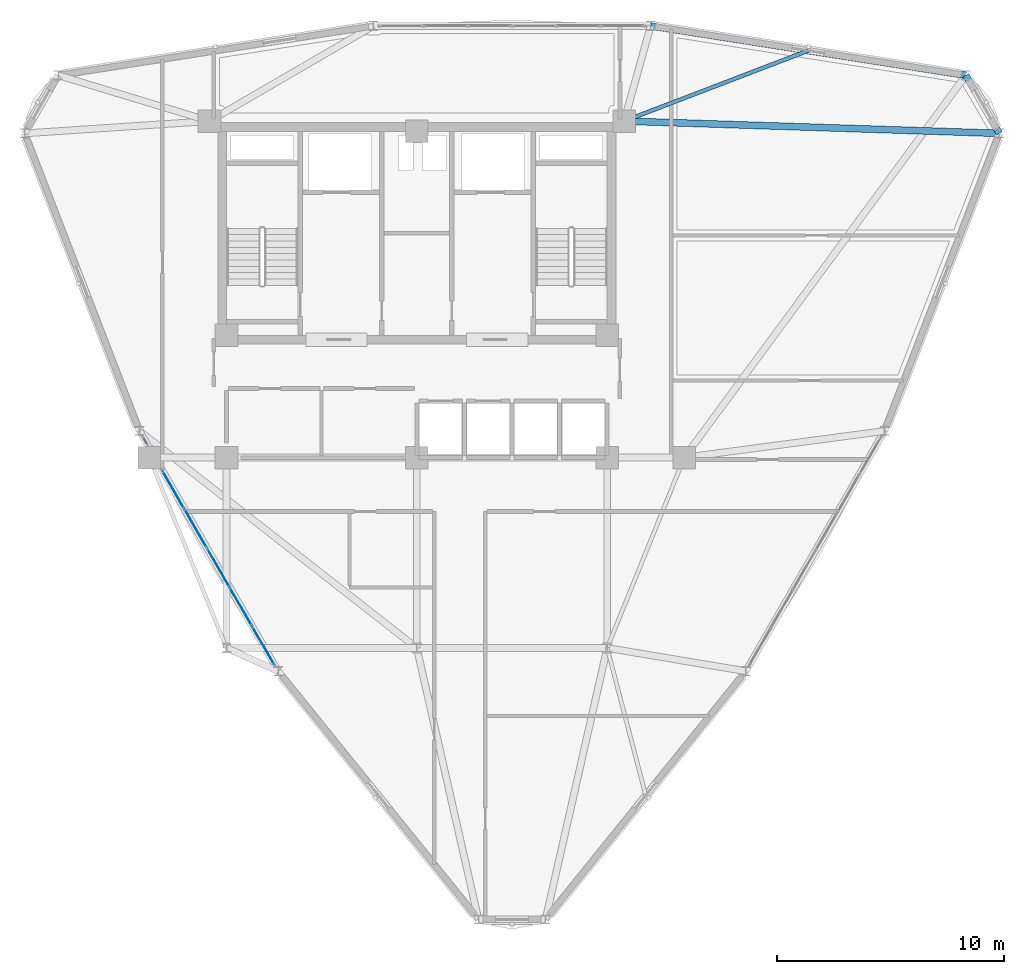
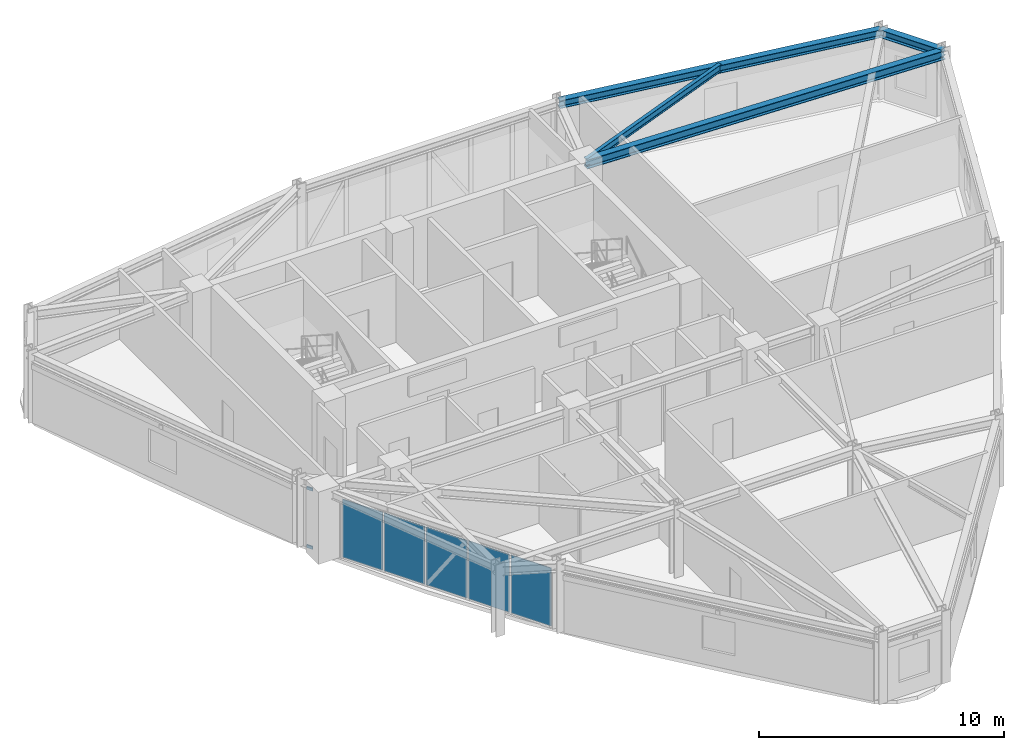
# One storey, part 10 of 16: 5 plates, 4 beams, 2 members, 2 elements without a shape of their own.
"""IFC4 building model written with IfcOpenShell, lengths in metres."""

from ifc_helpers import new_model, si_unit, derived_unit, direction, frame, origin, origin_2d, place, context, subcontext, project, spatial, rectangle, hollow_rectangle, i_section, extrude, source, transform, mapped, material, layer, layer_set, material_profile, profile_set, type_object, element, aggregate, save


model = new_model("IFC4")

# Units and contexts
model_context = context("Model", 3, precision=1e-05, world=origin(), true_north=direction((0.0, 1.0)))
body_context = subcontext(model_context, "Body", "Model", "MODEL_VIEW")
ifc_project = project(units=[si_unit("LENGTHUNIT", "METRE"), si_unit("AREAUNIT", "SQUARE_METRE"), si_unit("VOLUMEUNIT", "CUBIC_METRE"), si_unit("PLANEANGLEUNIT", "RADIAN"), si_unit("MASSUNIT", "GRAM", prefix="KILO"), derived_unit("THERMALTRANSMITTANCEUNIT", [(si_unit("POWERUNIT", "WATT"), 1), (si_unit("LENGTHUNIT", "METRE"), -2), (si_unit("THERMODYNAMICTEMPERATUREUNIT", "KELVIN"), -1)])], contexts=[model_context])

# Site, building, storey
site_placement = place(None, origin())
site = spatial("IfcSite", under=ifc_project, at=site_placement, CompositionType="ELEMENT")
building_placement = place(site_placement, origin())
building = spatial("IfcBuilding", under=site, at=building_placement, Name="Korsvarv Bourse and Concert Hall", CompositionType="ELEMENT")
storey_placement = place(building_placement, frame((0.0, 0.0, 220.199951171875)))
storey = spatial("IfcBuildingStorey", under=building, at=storey_placement, Name="L57", CompositionType="ELEMENT", Elevation=220.199951171875)

# Beams
ifc_material_1 = material(Name="Steel S355", Category="steel")
ifc_material_profile_1 = material_profile(ifc_material_1, i_section(OverallWidth=0.300048828125, OverallDepth=0.389892578125, WebThickness=0.010986328125, FlangeThickness=0.01904296875, FilletRadius=0.02099609375, at=origin_2d()), Name="HEA 400")
ifc_profile_set_1 = profile_set([ifc_material_profile_1], Name="Steel S355")
beam_type_1 = type_object("IfcBeamType", Name="BM-HEA400", PredefinedType="BEAM", material=ifc_profile_set_1)
shared_shape_1 = source(origin(), body_context, "Body", "SweptSolid", [
    extrude(i_section(OverallWidth=0.300048828125, OverallDepth=0.389892578125, WebThickness=0.010986328125, FlangeThickness=0.01904296875, FilletRadius=0.02099609375, at=origin_2d()), origin(), (0.0, 0.0, 1.0), 2.95947265625),
])
beam_1_placement = place(storey_placement, frame((61.70703125, 46.70849609375, 3.215087890625), z_axis=(-0.499998569178, 0.866026229868, 0.0), x_axis=(-0.866026229868, -0.499998569178, 0.0)))
element("IfcBeam", 1, at=beam_1_placement, inside=storey, type_object=beam_type_1, Name="L57 beam B-11", PredefinedType="BEAM", context=body_context, shape_type="MappedRepresentation", body=[
    mapped(shared_shape_1, transform((0.0, 0.0, 0.0), scale=1.0)),
])
shared_shape_2 = source(origin(), body_context, "Body", "SweptSolid", [
    extrude(i_section(OverallWidth=0.300048828125, OverallDepth=0.389892578125, WebThickness=0.010986328125, FlangeThickness=0.01904296875, FilletRadius=0.02099609375, at=origin_2d()), origin(), (0.0, 0.0, 1.0), 14.077880859375),
])
beam_2_placement = place(storey_placement, frame((60.227294921875, 49.271484375, 3.215087890625), z_axis=(-0.987954433111, 0.154745074545, 0.0), x_axis=(-0.154745074545, -0.987954433111, 0.0)))
element("IfcBeam", 2, at=beam_2_placement, inside=storey, type_object=beam_type_1, Name="L57 beam B-11", PredefinedType="BEAM", context=body_context, shape_type="MappedRepresentation", body=[
    mapped(shared_shape_2, transform((0.0, 0.0, 0.0), scale=1.0)),
])
ifc_material_profile_2 = material_profile(ifc_material_1, i_section(OverallWidth=0.300048828125, OverallDepth=0.449951171875, WebThickness=0.013916015625, FlangeThickness=0.02587890625, FilletRadius=0.02099609375, at=origin_2d()), Name="HEB 450")
ifc_profile_set_2 = profile_set([ifc_material_profile_2], Name="Steel S355")
beam_type_2 = type_object("IfcBeamType", Name="BM-HEB450", PredefinedType="SPANDREL", material=ifc_profile_set_2)
shared_shape_3 = source(origin(), body_context, "Body", "SweptSolid", [
    extrude(i_section(OverallWidth=0.300048828125, OverallDepth=0.449951171875, WebThickness=0.013916015625, FlangeThickness=0.02587890625, FilletRadius=0.02099609375, at=origin_2d()), origin(), (0.0, 0.0, 1.0), 16.56591796875),
])
beam_3_placement = place(storey_placement, frame((61.70703125, 46.70849609375, 3.18505859375), z_axis=(-0.999465614209, 0.032687704331, 0.0), x_axis=(-0.032687704331, -0.999465614209, 0.0)))
element("IfcBeam", 3, at=beam_3_placement, inside=storey, type_object=beam_type_2, Name="L57 beam B-08", PredefinedType="SPANDREL", context=body_context, shape_type="MappedRepresentation", body=[
    mapped(shared_shape_3, transform((0.0, 0.0, 0.0), scale=1.0)),
])
ifc_material_profile_3 = material_profile(ifc_material_1, i_section(OverallWidth=0.169921875, OverallDepth=0.360107421875, WebThickness=0.008056640625, FlangeThickness=0.0126953125, FilletRadius=0.01806640625, at=origin_2d()), Name="IPE 360")
ifc_profile_set_3 = profile_set([ifc_material_profile_3], Name="Steel S355")
beam_type_3 = type_object("IfcBeamType", Name="BM-IPE360", PredefinedType="JOIST", material=ifc_profile_set_3)
shared_shape_4 = source(origin(), body_context, "Body", "SweptSolid", [
    extrude(i_section(OverallWidth=0.169921875, OverallDepth=0.360107421875, WebThickness=0.008056640625, FlangeThickness=0.0126953125, FilletRadius=0.01806640625, at=origin_2d()), origin(), (0.0, 0.0, 1.0), 8.698486328125),
])
beam_4_placement = place(storey_placement, frame((53.273193359375, 50.360595703125, 3.22998046875), z_axis=(-0.933874102733, -0.357601957831, 0.0), x_axis=(0.357601957831, -0.933874102733, 0.0)))
element("IfcBeam", 4, at=beam_4_placement, inside=storey, type_object=beam_type_3, Name="L57 beam J-06", PredefinedType="JOIST", context=body_context, shape_type="MappedRepresentation", body=[
    mapped(shared_shape_4, transform((0.0, 0.0, 0.0), scale=1.0)),
])

# Curtain wall, members
ifc_material_2 = material(Name="Anodised aluminium and triple low-E glazing", Category="glass")
ifc_layer_1 = layer(ifc_material_2, 0.199951171875)
ifc_layer_set_1 = layer_set([ifc_layer_1], Name="Anodised aluminium and triple low-E glazing")
curtain_wall_type = type_object("IfcCurtainWallType", Name="CW-SYS-3", PredefinedType="NOTDEFINED", material=ifc_layer_set_1)
curtain_wall_1_placement = place(storey_placement, origin())
curtain_wall_1 = element("IfcCurtainWall", 5, at=curtain_wall_1_placement, inside=storey, type_object=curtain_wall_type, Name="L57 CW3 curtain wall CW-L57-F07-1", PredefinedType="NOTDEFINED")
ifc_material_3 = material(Name="Extruded aluminium EN AW-6063 T66", Category="aluminium")
ifc_material_profile_4 = material_profile(ifc_material_3, hollow_rectangle(XDim=0.06494140625, YDim=0.139892578125, WallThickness=0.00390625, at=origin_2d()), Name="ALU-T 65x140")
ifc_profile_set_4 = profile_set([ifc_material_profile_4], Name="Extruded aluminium EN AW-6063 T66")
member_type = type_object("IfcMemberType", Name="CWT-140", PredefinedType="USERDEFINED", material=ifc_profile_set_4)
shared_shape_5 = source(origin(), body_context, "Body", "SweptSolid", [
    extrude(hollow_rectangle(XDim=0.06494140625, YDim=0.139892578125, WallThickness=0.00390625, at=origin_2d()), origin(), (0.0, 0.0, 1.0), 0.28271484375),
])
member_1_placement = place(storey_placement, frame((23.944580078125, 33.255615234375, 0.032470703125), z_axis=(0.499946688677, -0.866056180903, 0.0), x_axis=(0.866056180903, 0.499946688677, 0.0)))
member_1 = element("IfcMember", 6, at=member_1_placement, type_object=member_type, Name="CW3 transom 1.1", ObjectType="TRANSOM", PredefinedType="USERDEFINED", context=body_context, shape_type="MappedRepresentation", body=[
    mapped(shared_shape_5, transform((0.0, 0.0, 0.0), scale=1.0)),
])
member_2_placement = place(storey_placement, frame((23.944580078125, 33.255615234375, 2.927490234375), z_axis=(0.499946688677, -0.866056180903, 0.0), x_axis=(0.866056180903, 0.499946688677, 0.0)))
member_2 = element("IfcMember", 7, at=member_2_placement, type_object=member_type, Name="CW3 transom 1.2", ObjectType="TRANSOM", PredefinedType="USERDEFINED", context=body_context, shape_type="MappedRepresentation", body=[
    mapped(shared_shape_5, transform((0.0, 0.0, 0.0), scale=1.0)),
])
aggregate(curtain_wall_1, [member_1, member_2])

# Curtain wall, plates
curtain_wall_2_placement = place(storey_placement, origin())
curtain_wall_2 = element("IfcCurtainWall", 8, at=curtain_wall_2_placement, inside=storey, type_object=curtain_wall_type, Name="L57 CW3 curtain wall CW-L57-F07-2", PredefinedType="NOTDEFINED")
ifc_material_4 = material(Name="Tempered triple insulated low-E architectural glass", Category="glass")
ifc_layer_2 = layer(ifc_material_4, 0.0380859375)
ifc_layer_set_2 = layer_set([ifc_layer_2], Name="Tempered triple insulated low-E architectural glass")
plate_type_1 = type_object("IfcPlateType", Name="CWP-VIS2", PredefinedType="CURTAIN_PANEL", material=ifc_layer_set_2)
shared_shape_6 = source(origin(), body_context, "Body", "SweptSolid", [
    extrude(rectangle(XDim=1.88720703125, YDim=0.0380859375, at=origin_2d()), origin(), (0.0, 0.0, 1.0), 2.889892578125),
])
plate_1_placement = place(storey_placement, frame((25.2568359375, 30.982421875, 0.06494140625), z_axis=(0.0, 0.0, 1.0), x_axis=(0.499995906824, -0.866027766968, 0.0)))
plate_1 = element("IfcPlate", 9, at=plate_1_placement, type_object=plate_type_1, Name="CW3 faceted panel 1.1", PredefinedType="CURTAIN_PANEL", context=body_context, shape_type="MappedRepresentation", body=[
    mapped(shared_shape_6, transform((0.0, 0.0, 0.0), scale=1.0)),
])
plate_2_placement = place(storey_placement, frame((29.2236328125, 24.11181640625, 0.06494140625), z_axis=(0.0, 0.0, 1.0), x_axis=(0.499995906824, -0.866027766968, 0.0)))
plate_2 = element("IfcPlate", 10, at=plate_2_placement, type_object=plate_type_1, Name="CW3 faceted panel 5.1", PredefinedType="CURTAIN_PANEL", context=body_context, shape_type="MappedRepresentation", body=[
    mapped(shared_shape_6, transform((0.0, 0.0, 0.0), scale=1.0)),
])
shared_shape_7 = source(origin(), body_context, "Body", "SweptSolid", [
    extrude(rectangle(XDim=1.922119140625, YDim=0.0380859375, at=origin_2d()), origin(), (0.0, 0.0, 1.0), 2.889892578125),
])
plate_3_placement = place(storey_placement, frame((26.244140625, 29.2724609375, 0.06494140625), z_axis=(0.0, 0.0, 1.0), x_axis=(0.499995906824, -0.866027766968, 0.0)))
plate_3 = element("IfcPlate", 11, at=plate_3_placement, type_object=plate_type_1, Name="CW3 faceted panel 2.1", PredefinedType="CURTAIN_PANEL", context=body_context, shape_type="MappedRepresentation", body=[
    mapped(shared_shape_7, transform((0.0, 0.0, 0.0), scale=1.0)),
])
plate_4_placement = place(storey_placement, frame((28.236328125, 25.82177734375, 0.06494140625), z_axis=(0.0, 0.0, 1.0), x_axis=(0.499995906824, -0.866027766968, 0.0)))
plate_4 = element("IfcPlate", 12, at=plate_4_placement, type_object=plate_type_1, Name="CW3 faceted panel 4.1", PredefinedType="CURTAIN_PANEL", context=body_context, shape_type="MappedRepresentation", body=[
    mapped(shared_shape_7, transform((0.0, 0.0, 0.0), scale=1.0)),
])
ifc_material_5 = material(Name="Insulated spandrel glass", Category="glass")
ifc_layer_3 = layer(ifc_material_5, 0.031982421875)
ifc_layer_set_3 = layer_set([ifc_layer_3], Name="Insulated spandrel glass")
plate_type_2 = type_object("IfcPlateType", Name="CWP-SPD1", PredefinedType="CURTAIN_PANEL", material=ifc_layer_set_3)
shared_shape_8 = source(origin(), body_context, "Body", "SweptSolid", [
    extrude(rectangle(XDim=1.922119140625, YDim=0.031982421875, at=origin_2d()), origin(), (0.0, 0.0, 1.0), 2.889892578125),
])
plate_5_placement = place(storey_placement, frame((27.240234375, 27.547119140625, 0.06494140625), z_axis=(0.0, 0.0, 1.0), x_axis=(0.499995906824, -0.866027766968, 0.0)))
plate_5 = element("IfcPlate", 13, at=plate_5_placement, type_object=plate_type_2, Name="CW3 spandrel shadow-box panel 3.1", PredefinedType="CURTAIN_PANEL", context=body_context, shape_type="MappedRepresentation", body=[
    mapped(shared_shape_8, transform((0.0, 0.0, 0.0), scale=1.0)),
])
aggregate(curtain_wall_2, [plate_1, plate_3, plate_5, plate_4, plate_2])

save(model, "model.ifc")
